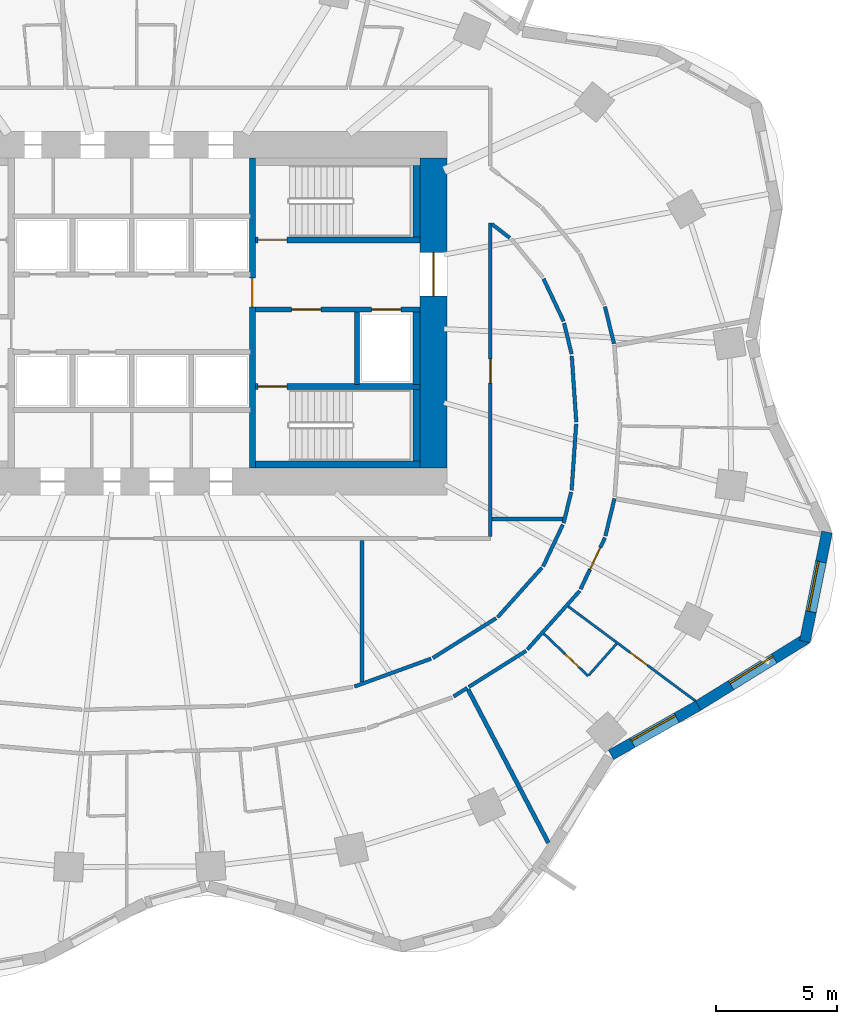
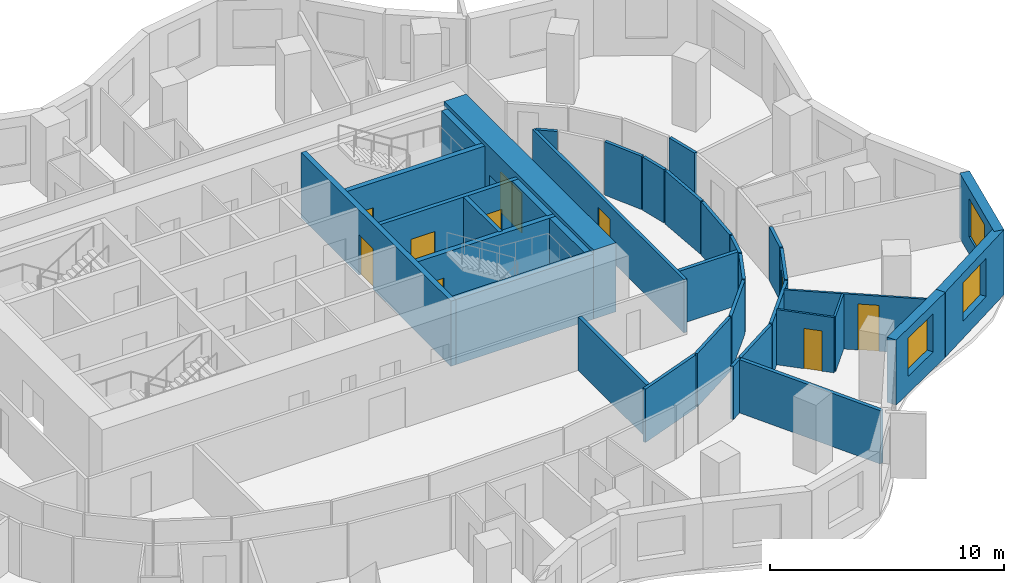
# One storey, part 6 of 10: 36 walls, 10 doors, 3 windows, 13 openings.
"""IFC4 building model written with IfcOpenShell, lengths in metres."""

import ifcopenshell
import ifcopenshell.guid

model = None  # the IFC model being written
_history = None  # IfcOwnerHistory: only IFC2X3 demands one
_inside = {}  # id of a spatial element -> (the spatial element, [elements in it])
_under = {}  # id of a project, library or spatial element -> (it, [spatial elements below it])
_declared = {}  # id of a project -> (the project, [libraries it declares])
_typed = {}  # id of a type object -> (the type object, [elements of that type])
_made_of = {}  # id of a material, layer set ... -> (it, [elements and type objects made of it])


def new_model(schema):
    """Start an empty IFC model of exactly this schema.

    Asked for "IFC4X3", IfcOpenShell would pick the latest addendum, in which some entities
    have other attributes; the version numbers below select the first issue.
    IFC2X3 requires an IfcOwnerHistory on every rooted entity: one is made here for all.
    """
    global model, _history
    if schema == "IFC4X3":
        model = ifcopenshell.file(schema_version=(4, 3, 0, 0))
    else:
        model = ifcopenshell.file(schema=schema)
    _inside.clear()
    _under.clear()
    _declared.clear()
    _typed.clear()
    _made_of.clear()
    _history = None
    if model.schema == "IFC2X3":
        org = make("IfcOrganization", Name="unknown")
        user = make(
            "IfcPersonAndOrganization",
            ThePerson=make("IfcPerson", FamilyName="unknown"),
            TheOrganization=org,
        )
        app = make(
            "IfcApplication",
            ApplicationDeveloper=org,
            Version="unknown",
            ApplicationFullName="unknown",
            ApplicationIdentifier="unknown",
        )
        _history = make(
            "IfcOwnerHistory",
            OwningUser=user,
            OwningApplication=app,
            ChangeAction="ADDED",
            CreationDate=0,
        )
    return model


def make(cls, **values):
    """One entity of the class cls with the attributes given. An attribute that is None is left unset."""
    return model.create_entity(
        cls, **{name: value for name, value in values.items() if value is not None}
    )


def rooted(cls, **values):
    """An entity with a GlobalId (a new one), such as an element, a storey or a relation."""
    return make(cls, GlobalId=ifcopenshell.guid.new(), OwnerHistory=_history, **values)


def si_unit(unit_type, name, prefix=None):
    """IfcSIUnit, for example si_unit("LENGTHUNIT", "METRE", prefix="MILLI")."""
    return make("IfcSIUnit", UnitType=unit_type, Prefix=prefix, Name=name)


def assignment(units):
    """IfcUnitAssignment: the units of a project."""
    return None if units is None else make("IfcUnitAssignment", Units=units)


def point(xyz):
    """IfcCartesianPoint."""
    return None if xyz is None else make("IfcCartesianPoint", Coordinates=xyz)


def direction(xyz):
    """IfcDirection."""
    return None if xyz is None else make("IfcDirection", DirectionRatios=xyz)


def frame(location, z_axis=None, x_axis=None):
    """IfcAxis2Placement3D, a coordinate frame: its origin and axes. An axis left out is left unset."""
    return make(
        "IfcAxis2Placement3D",
        Location=point(location),
        Axis=direction(z_axis),
        RefDirection=direction(x_axis),
    )


def frame_2d(location, x_axis=None):
    """IfcAxis2Placement2D, a coordinate frame in the plane: its origin and x axis."""
    return make(
        "IfcAxis2Placement2D", Location=point(location), RefDirection=direction(x_axis)
    )


def origin():
    """The frame at (0, 0, 0) with its axes left unset."""
    return frame((0.0, 0.0, 0.0))


def place(relative_to, where):
    """IfcLocalPlacement: puts the frame where relative to a parent placement (None: the world)."""
    return make(
        "IfcLocalPlacement", PlacementRelTo=relative_to, RelativePlacement=where
    )


def context(
    kind, dimensions, precision=None, world=None, true_north=None, identifier=None
):
    """IfcGeometricRepresentationContext, for example the 3D "Model" context."""
    return make(
        "IfcGeometricRepresentationContext",
        ContextIdentifier=identifier,
        ContextType=kind,
        CoordinateSpaceDimension=dimensions,
        Precision=precision,
        WorldCoordinateSystem=world,
        TrueNorth=true_north,
    )


def subcontext(parent, identifier, kind, view, scale=None):
    """IfcGeometricRepresentationSubContext, for example "Body" below "Model"."""
    return make(
        "IfcGeometricRepresentationSubContext",
        ContextIdentifier=identifier,
        ContextType=kind,
        ParentContext=parent,
        TargetScale=scale,
        TargetView=view,
    )


def project(units=None, contexts=None):
    """IfcProject with its units and contexts."""
    return rooted(
        "IfcProject",
        Name="project",
        RepresentationContexts=contexts,
        UnitsInContext=assignment(units),
    )


def spatial(cls, under=None, at=None, **own):
    """A site, building, storey or space (cls), placed at a placement, below another one or the project."""
    s = rooted(cls, ObjectPlacement=at, **own)
    if under is not None:
        _under.setdefault(under.id(), (under, []))[1].append(s)
    return s


def profile(cls, at=None, kind="AREA", **sizes):
    """A parametric profile (cls). Its sizes go by their IFC names, for example OverallWidth=200.0."""
    return make(cls, ProfileType=kind, Position=at, **sizes)


def rectangle(**sizes):
    """IfcRectangleProfileDef."""
    return profile("IfcRectangleProfileDef", **sizes)


def extrude(swept, where, along, depth):
    """IfcExtrudedAreaSolid: the profile swept, set in the frame where, extruded along a direction by depth."""
    return make(
        "IfcExtrudedAreaSolid",
        SweptArea=swept,
        Position=where,
        ExtrudedDirection=direction(along),
        Depth=depth,
    )


def shape(context_of_items, identifier, shape_type, items):
    """IfcShapeRepresentation: the items that make up one representation, for example the "Body"."""
    return make(
        "IfcShapeRepresentation",
        ContextOfItems=context_of_items,
        RepresentationIdentifier=identifier,
        RepresentationType=shape_type,
        Items=items,
    )


def material(Name=None, Category=None):
    """IfcMaterial."""
    return make("IfcMaterial", Name=Name, Category=Category)


def layer(
    of_material, thickness, ventilated=None, Name=None, Category=None, Priority=None
):
    """IfcMaterialLayer: one layer of a wall or slab, of a material (None: an air gap)."""
    return make(
        "IfcMaterialLayer",
        Material=of_material,
        LayerThickness=thickness,
        IsVentilated=ventilated,
        Name=Name,
        Category=Category,
        Priority=Priority,
    )


def layer_set(layers, Name=None):
    """IfcMaterialLayerSet."""
    return make("IfcMaterialLayerSet", MaterialLayers=layers, LayerSetName=Name)


def made_of(thing, what):
    """Note that an element or type object is made of a material, layer set ...; save() writes the relation."""
    if what is not None:
        _made_of.setdefault(what.id(), (what, []))[1].append(thing)
    return thing


def type_object(cls, material=None, **own):
    """A type object (cls), such as IfcWallType, which elements share."""
    return made_of(rooted(cls, **own), material)


def element(
    cls,
    number,
    at=None,
    inside=None,
    cuts=None,
    type_object=None,
    material=None,
    context=None,
    identifier="Body",
    shape_type=None,
    held_by="IfcProductDefinitionShape",
    body=None,
    shapes=None,
    **own,
):
    """One element of the class cls, such as IfcWall. Its Tag is "e" and its number.

    at: its placement. inside: the storey or other place that contains it. cuts: it is an
    opening in that element (IfcRelVoidsElement). A single representation is given by context,
    identifier, shape_type and body (its items); several are given by shapes. held_by: the class
    of the entity that holds the representations. save() writes the other relations.
    """
    e = rooted(cls, Tag="e%d" % number, ObjectPlacement=at, **own)
    if body is not None:
        shapes = [shape(context, identifier, shape_type, body)]
    if shapes is not None:
        e.Representation = make(held_by, Representations=shapes)
    if inside is not None:
        _inside.setdefault(inside.id(), (inside, []))[1].append(e)
    if cuts is not None:
        rooted(
            "IfcRelVoidsElement", RelatingBuildingElement=cuts, RelatedOpeningElement=e
        )
    if type_object is not None:
        _typed.setdefault(type_object.id(), (type_object, []))[1].append(e)
    return made_of(e, material)


def fill(opening, filler):
    """IfcRelFillsElement: the door or window that sits in an opening."""
    return rooted(
        "IfcRelFillsElement",
        RelatingOpeningElement=opening,
        RelatedBuildingElement=filler,
    )


def aggregate(whole, parts):
    """IfcRelAggregates: a whole, such as a stair, and the parts it consists of."""
    return rooted("IfcRelAggregates", RelatingObject=whole, RelatedObjects=parts)


def save(model, path):
    """Write the relations noted so far, then the file.

    IfcRelAggregates (storeys below a building ...), IfcRelContainedInSpatialStructure (elements
    in a storey), IfcRelDefinesByType, IfcRelAssociatesMaterial and IfcRelDeclares: one each for
    every whole, place, type object, material and project.
    """
    for whole, parts in _under.values():
        aggregate(whole, parts)
    for where, things in _inside.values():
        rooted(
            "IfcRelContainedInSpatialStructure",
            RelatedElements=things,
            RelatingStructure=where,
        )
    for kind, things in _typed.values():
        rooted("IfcRelDefinesByType", RelatedObjects=things, RelatingType=kind)
    for what, things in _made_of.values():
        rooted("IfcRelAssociatesMaterial", RelatedObjects=things, RelatingMaterial=what)
    for by, libraries in _declared.values():
        rooted("IfcRelDeclares", RelatingContext=by, RelatedDefinitions=libraries)
    model.write(path)


model = new_model("IFC4")

# Units and contexts
model_context = context("Model", 3, precision=1e-05, world=origin(), true_north=direction((0.0, 1.0)))
body_context = subcontext(model_context, "Body", "Model", "MODEL_VIEW")
ifc_project = project(units=[si_unit("LENGTHUNIT", "METRE"), si_unit("AREAUNIT", "SQUARE_METRE"), si_unit("VOLUMEUNIT", "CUBIC_METRE"), si_unit("PLANEANGLEUNIT", "RADIAN"), si_unit("MASSUNIT", "GRAM", prefix="KILO")], contexts=[model_context])

# Site, building, storey
site_placement = place(None, origin())
site = spatial("IfcSite", under=ifc_project, at=site_placement, CompositionType="ELEMENT")
building_placement = place(site_placement, origin())
building = spatial("IfcBuilding", under=site, at=building_placement, Name="Rubra Terraces Tower", CompositionType="ELEMENT")
storey_placement = place(building_placement, frame((0.0, 0.0, 92.39990234375)))
storey = spatial("IfcBuildingStorey", under=building, at=storey_placement, Name="L21", CompositionType="ELEMENT", Elevation=92.39990234375)

# Walls
ifc_material_1 = material(Name="Twin plasterboard on staggered steel stud, acoustic mineral wool", Category="steel")
ifc_layer_1 = layer(ifc_material_1, 0.175048828125)
ifc_layer_set_1 = layer_set([ifc_layer_1], Name="Twin plasterboard on staggered steel stud, acoustic mineral wool")
wall_type_1 = type_object("IfcWallType", Name="ACOUSTIC PARTY WALL 175", PredefinedType="PARTITIONING", material=ifc_layer_set_1)
wall_1_placement = place(storey_placement, frame((17.19287109375, -17.35986328125, 0.0), z_axis=(0.0, 0.0, 1.0), x_axis=(-0.464005717448, 0.8858322043, 0.0)))
element("IfcWall", 1, at=wall_1_placement, inside=storey, type_object=wall_type_1, Name="PARTITION", PredefinedType="PARTITIONING", context=body_context, shape_type="SweptSolid", body=[
    extrude(rectangle(XDim=7.142578125, YDim=0.175048828125, at=frame_2d((3.5712890625, 0.0))), origin(), (0.0, 0.0, 1.0), 2.7841796875),
])
wall_2_placement = place(storey_placement, frame((9.5, -10.723388671875, 0.0), z_axis=(0.0, 0.0, 1.0), x_axis=(0.0, 1.0, 0.0)))
element("IfcWall", 2, at=wall_2_placement, inside=storey, type_object=wall_type_1, Name="PARTITION", PredefinedType="PARTITIONING", context=body_context, shape_type="SweptSolid", body=[
    extrude(rectangle(XDim=5.848388671875, YDim=0.175048828125, at=frame_2d((2.92431640625, 0.0))), origin(), (0.0, 0.0, 1.0), 2.7841796875),
])
wall_3_placement = place(storey_placement, frame((14.875, -4.0, 0.0), z_axis=(0.0, 0.0, 1.0), x_axis=(1.0, 0.0, 0.0)))
element("IfcWall", 3, at=wall_3_placement, inside=storey, type_object=wall_type_1, Name="PARTITION", PredefinedType="PARTITIONING", context=body_context, shape_type="SweptSolid", body=[
    extrude(rectangle(XDim=2.912109375, YDim=0.175048828125, at=frame_2d((1.4560546875, 0.0))), origin(), (0.0, 0.0, 1.0), 2.7841796875),
])

# Wall, opening, window
ifc_material_2 = material(Name="Brick masonry red-brown", Category="masonry")
ifc_layer_2 = layer(ifc_material_2, 0.449951171875)
ifc_layer_set_2 = layer_set([ifc_layer_2], Name="Brick masonry red-brown")
wall_type_2 = type_object("IfcWallType", Name="Brick facade wall 450", PredefinedType="SOLIDWALL", material=ifc_layer_set_2)
wall_4_placement = place(storey_placement, frame((19.77587890625, -13.730712890625, 0.0), z_axis=(0.0, 0.0, 1.0), x_axis=(0.870610133829, 0.491973571318, 0.0)))
wall_4 = element("IfcWall", 4, at=wall_4_placement, inside=storey, type_object=wall_type_2, Name="Facade wall L21 bay 37", PredefinedType="SOLIDWALL", context=body_context, shape_type="SweptSolid", body=[
    extrude(rectangle(XDim=4.1337890625, YDim=0.449951171875, at=frame_2d((2.06689453125, 0.0))), origin(), (0.0, 0.0, 1.0), 3.400146484375),
])
opening_1_placement = place(wall_4_placement, frame((1.016845703125, 0.0, 0.89990234375)))
opening_1 = element("IfcOpeningElement", 5, at=opening_1_placement, cuts=wall_4, Name="Opening W1", PredefinedType="OPENING", context=body_context, shape_type="SweptSolid", body=[
    extrude(rectangle(XDim=2.10009765625, YDim=2.0, at=frame_2d((1.050048828125, 1.0))), frame((0.0, 0.23486328125, 0.0), z_axis=(0.0, -1.0, 0.0), x_axis=(1.0, 0.0, 0.0)), (0.0, 0.0, 1.0), 0.469970703125),
])
ifc_material_3 = material(Name="Clear glass in aluminium frame", Category="aluminium")
window_type = type_object("IfcWindowType", Name="Fixed deep-set window 2100 x 2000", PartitioningType="SINGLE_PANEL", PredefinedType="WINDOW", material=ifc_material_3)
window_1_placement = place(opening_1_placement, origin())
window_1 = element("IfcWindow", 6, at=window_1_placement, inside=storey, type_object=window_type, Name="Window L21 bay 37", OverallHeight=2.0, OverallWidth=2.10009765625, PartitioningType="SINGLE_PANEL", PredefinedType="WINDOW", context=body_context, shape_type="SweptSolid", body=[
    extrude(rectangle(XDim=2.10009765625, YDim=2.0, at=frame_2d((1.050048828125, 1.0))), frame((0.0, 0.135009765625, 0.0), z_axis=(0.0, -1.0, 0.0), x_axis=(1.0, 0.0, 0.0)), (0.0, 0.0, 1.0), 0.06005859375),
])
fill(opening_1, window_1)

wall_5_placement = place(storey_placement, frame((23.368408203125, -11.700927734375, 0.0), z_axis=(0.0, 0.0, 1.0), x_axis=(0.850251408633, 0.526376806211, 0.0)))
wall_5 = element("IfcWall", 7, at=wall_5_placement, inside=storey, type_object=wall_type_2, Name="Facade wall L21 bay 38", PredefinedType="SOLIDWALL", context=body_context, shape_type="SweptSolid", body=[
    extrude(rectangle(XDim=5.30224609375, YDim=0.449951171875, at=frame_2d((2.651123046875, 0.0))), origin(), (0.0, 0.0, 1.0), 3.400146484375),
])
opening_2_placement = place(wall_5_placement, frame((1.601318359375, 0.0, 0.89990234375)))
opening_2 = element("IfcOpeningElement", 8, at=opening_2_placement, cuts=wall_5, Name="Opening W1", PredefinedType="OPENING", context=body_context, shape_type="SweptSolid", body=[
    extrude(rectangle(XDim=2.10009765625, YDim=2.0, at=frame_2d((1.050048828125, 1.0))), frame((0.0, 0.23486328125, 0.0), z_axis=(0.0, -1.0, 0.0), x_axis=(1.0, 0.0, 0.0)), (0.0, 0.0, 1.0), 0.469970703125),
])
window_2_placement = place(opening_2_placement, origin())
window_2 = element("IfcWindow", 9, at=window_2_placement, inside=storey, type_object=window_type, Name="Window L21 bay 38", OverallHeight=2.0, OverallWidth=2.10009765625, PartitioningType="SINGLE_PANEL", PredefinedType="WINDOW", context=body_context, shape_type="SweptSolid", body=[
    extrude(rectangle(XDim=2.10009765625, YDim=2.0, at=frame_2d((1.050048828125, 1.0))), frame((0.0, 0.135009765625, 0.0), z_axis=(0.0, -1.0, 0.0), x_axis=(1.0, 0.0, 0.0)), (0.0, 0.0, 1.0), 0.06005859375),
])
fill(opening_2, window_2)

wall_6_placement = place(storey_placement, frame((27.779541015625, -9.053466796875, 0.0), z_axis=(0.0, 0.0, 1.0), x_axis=(0.197796229105, 0.980243159503, 0.0)))
wall_6 = element("IfcWall", 10, at=wall_6_placement, inside=storey, type_object=wall_type_2, Name="Facade wall L21 bay 39", PredefinedType="SOLIDWALL", context=body_context, shape_type="SweptSolid", body=[
    extrude(rectangle(XDim=4.610107421875, YDim=0.449951171875, at=frame_2d((2.30517578125, 0.0))), origin(), (0.0, 0.0, 1.0), 3.400146484375),
])
opening_3_placement = place(wall_6_placement, frame((1.255126953125, 0.0, 0.89990234375)))
opening_3 = element("IfcOpeningElement", 11, at=opening_3_placement, cuts=wall_6, Name="Opening W1", PredefinedType="OPENING", context=body_context, shape_type="SweptSolid", body=[
    extrude(rectangle(XDim=2.10009765625, YDim=2.0, at=frame_2d((1.050048828125, 1.0))), frame((0.0, 0.23486328125, 0.0), z_axis=(0.0, -1.0, 0.0), x_axis=(1.0, 0.0, 0.0)), (0.0, 0.0, 1.0), 0.469970703125),
])
window_3_placement = place(opening_3_placement, origin())
window_3 = element("IfcWindow", 12, at=window_3_placement, inside=storey, type_object=window_type, Name="Window L21 bay 39", OverallHeight=2.0, OverallWidth=2.10009765625, PartitioningType="SINGLE_PANEL", PredefinedType="WINDOW", context=body_context, shape_type="SweptSolid", body=[
    extrude(rectangle(XDim=2.10009765625, YDim=2.0, at=frame_2d((1.050048828125, 1.0))), frame((0.0, 0.135009765625, 0.0), z_axis=(0.0, -1.0, 0.0), x_axis=(1.0, 0.0, 0.0)), (0.0, 0.0, 1.0), 0.06005859375),
])
fill(opening_3, window_3)

# Wall, opening, door
ifc_material_4 = material(Name="Concrete C60", Category="concrete")
ifc_layer_3 = layer(ifc_material_4, 1.10009765625)
ifc_layer_set_3 = layer_set([ifc_layer_3], Name="Concrete C60")
wall_type_3 = type_object("IfcWallType", Name="CORE WALL 1100 C60", PredefinedType="SHEAR", material=ifc_layer_set_3)
wall_7_placement = place(storey_placement, frame((12.449951171875, -1.89990234375, 0.0), z_axis=(0.0, 0.0, 1.0), x_axis=(0.0, 1.0, 0.0)))
wall_7 = element("IfcWall", 13, at=wall_7_placement, inside=storey, type_object=wall_type_3, Name="CORE WALL E L21", PredefinedType="SHEAR", context=body_context, shape_type="SweptSolid", body=[
    extrude(rectangle(XDim=12.7998046875, YDim=1.10009765625, at=frame_2d((6.39990234375, 0.0))), origin(), (0.0, 0.0, 1.0), 3.60009765625),
])
opening_4_placement = place(wall_7_placement, frame((7.10009765625, 0.0, 0.0)))
opening_4 = element("IfcOpeningElement", 14, at=opening_4_placement, cuts=wall_7, Name="Opening L21.C02", PredefinedType="OPENING", context=body_context, shape_type="SweptSolid", body=[
    extrude(rectangle(XDim=1.800048828125, YDim=2.10009765625, at=frame_2d((0.89990234375, 1.050048828125))), frame((0.0, 0.56005859375, 0.0), z_axis=(0.0, -1.0, 0.0), x_axis=(1.0, 0.0, 0.0)), (0.0, 0.0, 1.0), 1.1201171875),
])
ifc_material_5 = material(Name="Painted steel", Category="steel")
door_type_1 = type_object("IfcDoorType", Name="Fire door 1800x2100 double", OperationType="NOTDEFINED", PredefinedType="DOOR", material=ifc_material_5)
door_1_placement = place(opening_4_placement, origin())
door_1 = element("IfcDoor", 15, at=door_1_placement, inside=storey, type_object=door_type_1, Name="Core entrance door FF2", OperationType="DOUBLE_DOOR_SINGLE_SWING", OverallHeight=2.10009765625, OverallWidth=1.800048828125, PredefinedType="DOOR", context=body_context, shape_type="SweptSolid", body=[
    extrude(rectangle(XDim=1.800048828125, YDim=2.10009765625, at=frame_2d((0.89990234375, 1.050048828125))), frame((0.0, 0.02490234375, 0.0), z_axis=(0.0, -1.0, 0.0), x_axis=(1.0, 0.0, 0.0)), (0.0, 0.0, 1.0), 0.050048828125),
])
fill(opening_4, door_1)

# Walls
ifc_material_6 = material(Name="Plasterboard on steel stud, mineral wool infill", Category="steel")
ifc_layer_4 = layer(ifc_material_6, 0.14990234375)
ifc_layer_set_4 = layer_set([ifc_layer_4], Name="Plasterboard on steel stud, mineral wool infill")
wall_type_4 = type_object("IfcWallType", Name="CORRIDOR PARTITION 150", PredefinedType="PARTITIONING", material=ifc_layer_set_4)
wall_8_placement = place(storey_placement, frame((13.282958984375, -11.3193359375, 0.0), z_axis=(0.0, 0.0, 1.0), x_axis=(0.846275904875, 0.532744866543, 0.0)))
element("IfcWall", 16, at=wall_8_placement, inside=storey, type_object=wall_type_4, Name="PARTITION", PredefinedType="PARTITIONING", context=body_context, shape_type="SweptSolid", body=[
    extrude(rectangle(XDim=0.66259765625, YDim=0.14990234375, at=frame_2d((0.331298828125, 0.0))), origin(), (0.0, 0.0, 1.0), 2.7841796875),
])
wall_9_placement = place(storey_placement, frame((13.9072265625, -10.926513671875, 0.0), z_axis=(0.0, 0.0, 1.0), x_axis=(0.846289768331, 0.53272284353, 0.0)))
element("IfcWall", 17, at=wall_9_placement, inside=storey, type_object=wall_type_4, Name="PARTITION", PredefinedType="PARTITIONING", context=body_context, shape_type="SweptSolid", body=[
    extrude(rectangle(XDim=2.792724609375, YDim=0.14990234375, at=frame_2d((1.396484375, 0.0))), origin(), (0.0, 0.0, 1.0), 2.7841796875),
])
wall_10_placement = place(storey_placement, frame((16.32080078125, -9.3828125, 0.0), z_axis=(0.0, 0.0, 1.0), x_axis=(0.666834356165, 0.745205972492, 0.0)))
element("IfcWall", 18, at=wall_10_placement, inside=storey, type_object=wall_type_4, Name="PARTITION", PredefinedType="PARTITIONING", context=body_context, shape_type="SweptSolid", body=[
    extrude(rectangle(XDim=3.252197265625, YDim=0.14990234375, at=frame_2d((1.6259765625, 0.0))), origin(), (0.0, 0.0, 1.0), 2.7841796875),
])

# Wall, opening, door
wall_11_placement = place(storey_placement, frame((18.521728515625, -6.891357421875, 0.0), z_axis=(0.0, 0.0, 1.0), x_axis=(0.428157819028, 0.903703979191, 0.0)))
wall_11 = element("IfcWall", 19, at=wall_11_placement, inside=storey, type_object=wall_type_4, Name="PARTITION", PredefinedType="PARTITIONING", context=body_context, shape_type="SweptSolid", body=[
    extrude(rectangle(XDim=2.349365234375, YDim=0.14990234375, at=frame_2d((1.1748046875, 0.0))), origin(), (0.0, 0.0, 1.0), 2.7841796875),
])
opening_5_placement = place(wall_11_placement, frame((0.89990234375, 0.0, 0.0)))
opening_5 = element("IfcOpeningElement", 20, at=opening_5_placement, cuts=wall_11, Name="Opening 21-123", PredefinedType="OPENING", context=body_context, shape_type="SweptSolid", body=[
    extrude(rectangle(XDim=1.0, YDim=2.10009765625, at=frame_2d((0.5, 1.050048828125))), frame((0.0, 0.0849609375, 0.0), z_axis=(0.0, -1.0, 0.0), x_axis=(1.0, 0.0, 0.0)), (0.0, 0.0, 1.0), 0.169921875),
])
ifc_material_7 = material(Name="Painted timber door leaf", Category="wood")
door_type_2 = type_object("IfcDoorType", Name="ROOM DOOR 1000 X 2100", OperationType="SINGLE_SWING_LEFT", PredefinedType="DOOR", material=ifc_material_7)
door_2_placement = place(opening_5_placement, origin())
door_2 = element("IfcDoor", 21, at=door_2_placement, inside=storey, type_object=door_type_2, Name="DOOR 21-123", OperationType="SINGLE_SWING_RIGHT", OverallHeight=2.10009765625, OverallWidth=1.0, PredefinedType="DOOR", context=body_context, shape_type="SweptSolid", body=[
    extrude(rectangle(XDim=1.0, YDim=2.10009765625, at=frame_2d((0.5, 1.050048828125))), frame((0.0, 0.02490234375, 0.0), z_axis=(0.0, -1.0, 0.0), x_axis=(1.0, 0.0, 0.0)), (0.0, 0.0, 1.0), 0.050048828125),
])
fill(opening_5, door_2)

# Walls
wall_12_placement = place(storey_placement, frame((19.54541015625, -4.695556640625, 0.0), z_axis=(0.0, 0.0, 1.0), x_axis=(0.236715862945, 0.971578921257, 0.0)))
element("IfcWall", 22, at=wall_12_placement, inside=storey, type_object=wall_type_4, Name="PARTITION", PredefinedType="PARTITIONING", context=body_context, shape_type="SweptSolid", body=[
    extrude(rectangle(XDim=1.59033203125, YDim=0.14990234375, at=frame_2d((0.795166015625, 0.0))), origin(), (0.0, 0.0, 1.0), 2.7841796875),
])
wall_13_placement = place(storey_placement, frame((19.901123046875, 3.235595703125, 0.0), z_axis=(0.0, 0.0, 1.0), x_axis=(-0.236778045029, 0.971563769082, 0.0)))
element("IfcWall", 23, at=wall_13_placement, inside=storey, type_object=wall_type_4, Name="PARTITION", PredefinedType="PARTITIONING", context=body_context, shape_type="SweptSolid", body=[
    extrude(rectangle(XDim=1.57763671875, YDim=0.14990234375, at=frame_2d((0.788818359375, 0.0))), origin(), (0.0, 0.0, 1.0), 2.7841796875),
])
wall_14_placement = place(storey_placement, frame((16.990966796875, 5.918212890625, 0.0), z_axis=(0.0, 0.0, 1.0), x_axis=(0.428199863362, -0.903684058185, 0.0)))
element("IfcWall", 24, at=wall_14_placement, inside=storey, type_object=wall_type_4, Name="PARTITION", PredefinedType="PARTITIONING", context=body_context, shape_type="SweptSolid", body=[
    extrude(rectangle(XDim=1.94140625, YDim=0.14990234375, at=frame_2d((0.970703125, 0.0))), origin(), (0.0, 0.0, 1.0), 2.7841796875),
])
wall_15_placement = place(storey_placement, frame((17.840087890625, 4.0908203125, 0.0), z_axis=(0.0, 0.0, 1.0), x_axis=(0.236653741324, -0.971594054489, 0.0)))
element("IfcWall", 25, at=wall_15_placement, inside=storey, type_object=wall_type_4, Name="PARTITION", PredefinedType="PARTITIONING", context=body_context, shape_type="SweptSolid", body=[
    extrude(rectangle(XDim=1.319580078125, YDim=0.14990234375, at=frame_2d((0.65966796875, 0.0))), origin(), (0.0, 0.0, 1.0), 2.7841796875),
])
for number, where, z_axis, x_axis, name in (
    (26, (18.157470703125, 2.734130859375, 0.0), (0.0, 0.0, 1.0), (0.068328193832, -0.997662897941, 0.0), "PARTITION"),
    (27, (18.339599609375, -0.07470703125, 0.0), (0.0, 0.0, 1.0), (-0.068328193832, -0.997662897941, 0.0), "PARTITION"),
):
    element("IfcWall", number, at=place(storey_placement, frame(where, z_axis=z_axis, x_axis=x_axis)), inside=storey, type_object=wall_type_4, Name=name, PredefinedType="PARTITIONING", context=body_context, shape_type="SweptSolid", body=[
        extrude(rectangle(XDim=2.740478515625, YDim=0.14990234375, at=frame_2d((1.3701171875, 0.0))), origin(), (0.0, 0.0, 1.0), 2.7841796875),
    ])
wall_16_placement = place(storey_placement, frame((18.134521484375, -2.8818359375, 0.0), z_axis=(0.0, 0.0, 1.0), x_axis=(-0.236653741324, -0.971594054489, 0.0)))
element("IfcWall", 28, at=wall_16_placement, inside=storey, type_object=wall_type_4, Name="PARTITION", PredefinedType="PARTITIONING", context=body_context, shape_type="SweptSolid", body=[
    extrude(rectangle(XDim=1.319580078125, YDim=0.14990234375, at=frame_2d((0.65966796875, 0.0))), origin(), (0.0, 0.0, 1.0), 2.7841796875),
])
wall_17_placement = place(storey_placement, frame((17.7900390625, -4.2314453125, 0.0), z_axis=(0.0, 0.0, 1.0), x_axis=(-0.428042272357, -0.90375871397, 0.0)))
element("IfcWall", 29, at=wall_17_placement, inside=storey, type_object=wall_type_4, Name="PARTITION", PredefinedType="PARTITIONING", context=body_context, shape_type="SweptSolid", body=[
    extrude(rectangle(XDim=1.905029296875, YDim=0.14990234375, at=frame_2d((0.95263671875, 0.0))), origin(), (0.0, 0.0, 1.0), 2.7841796875),
])
wall_18_placement = place(storey_placement, frame((16.924560546875, -6.009033203125, 0.0), z_axis=(0.0, 0.0, 1.0), x_axis=(-0.666893859891, -0.745152722359, 0.0)))
element("IfcWall", 30, at=wall_18_placement, inside=storey, type_object=wall_type_4, Name="PARTITION", PredefinedType="PARTITIONING", context=body_context, shape_type="SweptSolid", body=[
    extrude(rectangle(XDim=2.739013671875, YDim=0.14990234375, at=frame_2d((1.36962890625, 0.0))), origin(), (0.0, 0.0, 1.0), 2.7841796875),
])
wall_19_placement = place(storey_placement, frame((15.034423828125, -8.090087890625, 0.0), z_axis=(0.0, 0.0, 1.0), x_axis=(-0.846322679414, -0.532670557014, 0.0)))
element("IfcWall", 31, at=wall_19_placement, inside=storey, type_object=wall_type_4, Name="PARTITION", PredefinedType="PARTITIONING", context=body_context, shape_type="SweptSolid", body=[
    extrude(rectangle(XDim=3.08544921875, YDim=0.14990234375, at=frame_2d((1.542724609375, 0.0))), origin(), (0.0, 0.0, 1.0), 2.7841796875),
])
wall_20_placement = place(storey_placement, frame((12.3525390625, -9.759521484375, 0.0), z_axis=(0.0, 0.0, 1.0), x_axis=(-0.939632450309, -0.342185415127, 0.0)))
element("IfcWall", 32, at=wall_20_placement, inside=storey, type_object=wall_type_4, Name="PARTITION", PredefinedType="PARTITIONING", context=body_context, shape_type="SweptSolid", body=[
    extrude(rectangle(XDim=3.36767578125, YDim=0.14990234375, at=frame_2d((1.683837890625, 0.0))), origin(), (0.0, 0.0, 1.0), 2.7841796875),
])

# Wall, opening, door
wall_21_placement = place(storey_placement, frame((14.800048828125, -4.72509765625, 0.0), z_axis=(0.0, 0.0, 1.0), x_axis=(0.0, 1.0, 0.0)))
wall_21 = element("IfcWall", 33, at=wall_21_placement, inside=storey, type_object=wall_type_4, Name="PARTITION", PredefinedType="PARTITIONING", context=body_context, shape_type="SweptSolid", body=[
    extrude(rectangle(XDim=12.947998046875, YDim=0.14990234375, at=frame_2d((6.47412109375, 0.0))), origin(), (0.0, 0.0, 1.0), 2.7841796875),
])
opening_6_placement = place(wall_21_placement, frame((6.3359375, 0.0, 0.0)))
opening_6 = element("IfcOpeningElement", 34, at=opening_6_placement, cuts=wall_21, Name="Opening 21-133", PredefinedType="OPENING", context=body_context, shape_type="SweptSolid", body=[
    extrude(rectangle(XDim=1.0, YDim=2.10009765625, at=frame_2d((0.5, 1.050048828125))), frame((0.0, 0.0849609375, 0.0), z_axis=(0.0, -1.0, 0.0), x_axis=(1.0, 0.0, 0.0)), (0.0, 0.0, 1.0), 0.169921875),
])
door_3_placement = place(opening_6_placement, origin())
door_3 = element("IfcDoor", 35, at=door_3_placement, inside=storey, type_object=door_type_2, Name="DOOR 21-133", OperationType="SINGLE_SWING_RIGHT", OverallHeight=2.10009765625, OverallWidth=1.0, PredefinedType="DOOR", context=body_context, shape_type="SweptSolid", body=[
    extrude(rectangle(XDim=1.0, YDim=2.10009765625, at=frame_2d((0.5, 1.050048828125))), frame((0.0, 0.02490234375, 0.0), z_axis=(0.0, -1.0, 0.0), x_axis=(1.0, 0.0, 0.0)), (0.0, 0.0, 1.0), 0.050048828125),
])
fill(opening_6, door_3)

# Walls
wall_22_placement = place(storey_placement, frame((14.859375, 8.177001953125, 0.0), z_axis=(0.0, 0.0, 1.0), x_axis=(0.791588113465, -0.611055037309, 0.0)))
element("IfcWall", 36, at=wall_22_placement, inside=storey, type_object=wall_type_4, Name="PARTITION", PredefinedType="PARTITIONING", context=body_context, shape_type="SweptSolid", body=[
    extrude(rectangle(XDim=0.9384765625, YDim=0.14990234375, at=frame_2d((0.46923828125, 0.0))), origin(), (0.0, 0.0, 1.0), 2.7841796875),
])
ifc_material_8 = material(Name="Concrete C40", Category="concrete")
ifc_layer_5 = layer(ifc_material_8, 0.300048828125)
ifc_layer_set_5 = layer_set([ifc_layer_5], Name="Concrete C40")
wall_type_5 = type_object("IfcWallType", Name="Core lining wall 300 concrete", PredefinedType="SOLIDWALL", material=ifc_layer_set_5)
wall_23_placement = place(storey_placement, frame((11.75, 10.60009765625, 0.0), z_axis=(0.0, 0.0, 1.0), x_axis=(0.0, -1.0, 0.0)))
element("IfcWall", 37, at=wall_23_placement, inside=storey, type_object=wall_type_5, Name="CORE LINING WALL L21", PredefinedType="SOLIDWALL", context=body_context, shape_type="SweptSolid", body=[
    extrude(rectangle(XDim=2.9501953125, YDim=0.300048828125, at=frame_2d((1.47509765625, 0.0))), origin(), (0.0, 0.0, 1.0), 3.400146484375),
])
wall_24_placement = place(storey_placement, frame((11.75, 4.550048828125, 0.0), z_axis=(0.0, 0.0, 1.0), x_axis=(0.0, -1.0, 0.0)))
element("IfcWall", 38, at=wall_24_placement, inside=storey, type_object=wall_type_5, Name="CORE LINING WALL L21", PredefinedType="SOLIDWALL", context=body_context, shape_type="SweptSolid", body=[
    extrude(rectangle(XDim=3.0, YDim=0.300048828125, at=frame_2d((1.5, 0.0))), origin(), (0.0, 0.0, 1.0), 3.400146484375),
])
wall_25_placement = place(storey_placement, frame((11.75, 1.35009765625, 0.0), z_axis=(0.0, 0.0, 1.0), x_axis=(0.0, -1.0, 0.0)))
element("IfcWall", 39, at=wall_25_placement, inside=storey, type_object=wall_type_5, Name="CORE LINING WALL L21", PredefinedType="SOLIDWALL", context=body_context, shape_type="SweptSolid", body=[
    extrude(rectangle(XDim=2.9501953125, YDim=0.300048828125, at=frame_2d((1.47509765625, 0.0))), origin(), (0.0, 0.0, 1.0), 3.400146484375),
])
wall_26_placement = place(storey_placement, frame((11.89990234375, -1.75, 0.0), z_axis=(0.0, 0.0, 1.0), x_axis=(-1.0, 0.0, 0.0)))
element("IfcWall", 40, at=wall_26_placement, inside=storey, type_object=wall_type_5, Name="CORE LINING WALL L21", PredefinedType="SOLIDWALL", context=body_context, shape_type="SweptSolid", body=[
    extrude(rectangle(XDim=6.7998046875, YDim=0.300048828125, at=frame_2d((3.39990234375, 0.0))), origin(), (0.0, 0.0, 1.0), 3.400146484375),
])

# Wall, openings, doors
ifc_material_9 = material(Name="Concrete C30", Category="concrete")
ifc_layer_6 = layer(ifc_material_9, 0.199951171875)
ifc_layer_set_6 = layer_set([ifc_layer_6], Name="Concrete C30")
wall_type_6 = type_object("IfcWallType", Name="Core wall 200 concrete", PredefinedType="SOLIDWALL", material=ifc_layer_set_6)
wall_27_placement = place(storey_placement, frame((11.89990234375, 4.64990234375, 0.0), z_axis=(0.0, 0.0, 1.0), x_axis=(-1.0, 0.0, 0.0)))
wall_27 = element("IfcWall", 41, at=wall_27_placement, inside=storey, type_object=wall_type_6, Name="STAIR WALL L21", PredefinedType="SOLIDWALL", context=body_context, shape_type="SweptSolid", body=[
    extrude(rectangle(XDim=6.7998046875, YDim=0.199951171875, at=frame_2d((3.39990234375, 0.0))), origin(), (0.0, 0.0, 1.0), 3.400146484375),
])
opening_7_placement = place(wall_27_placement, frame((4.10009765625, 0.0, 0.0)))
opening_7 = element("IfcOpeningElement", 42, at=opening_7_placement, cuts=wall_27, Name="Opening L21.C06", PredefinedType="OPENING", context=body_context, shape_type="SweptSolid", body=[
    extrude(rectangle(XDim=1.199951171875, YDim=2.10009765625, at=frame_2d((0.60009765625, 1.050048828125))), frame((0.0, 0.10986328125, 0.0), z_axis=(0.0, -1.0, 0.0), x_axis=(1.0, 0.0, 0.0)), (0.0, 0.0, 1.0), 0.219970703125),
])
opening_8_placement = place(wall_27_placement, frame((0.800048828125, 0.0, 0.0)))
opening_8 = element("IfcOpeningElement", 43, at=opening_8_placement, cuts=wall_27, Name="Opening L21.C12", PredefinedType="OPENING", context=body_context, shape_type="SweptSolid", body=[
    extrude(rectangle(XDim=1.199951171875, YDim=2.10009765625, at=frame_2d((0.60009765625, 1.050048828125))), frame((0.0, 0.10986328125, 0.0), z_axis=(0.0, -1.0, 0.0), x_axis=(1.0, 0.0, 0.0)), (0.0, 0.0, 1.0), 0.219970703125),
])
door_type_3 = type_object("IfcDoorType", Name="Fire door 1200x2100 single", OperationType="NOTDEFINED", PredefinedType="DOOR", material=ifc_material_5)
door_4_placement = place(opening_7_placement, origin())
door_4 = element("IfcDoor", 44, at=door_4_placement, inside=storey, type_object=door_type_3, Name="Stair vestibule door S4", OperationType="SINGLE_SWING_RIGHT", OverallHeight=2.10009765625, OverallWidth=1.199951171875, PredefinedType="DOOR", context=body_context, shape_type="SweptSolid", body=[
    extrude(rectangle(XDim=1.199951171875, YDim=2.10009765625, at=frame_2d((0.60009765625, 1.050048828125))), frame((0.0, 0.02490234375, 0.0), z_axis=(0.0, -1.0, 0.0), x_axis=(1.0, 0.0, 0.0)), (0.0, 0.0, 1.0), 0.050048828125),
])
fill(opening_7, door_4)
ifc_material_10 = material(Name="Stainless steel", Category="steel")
door_type_4 = type_object("IfcDoorType", Name="Lift landing door 1200x2100", OperationType="NOTDEFINED", PredefinedType="DOOR", material=ifc_material_10)
door_5_placement = place(opening_8_placement, origin())
door_5 = element("IfcDoor", 45, at=door_5_placement, inside=storey, type_object=door_type_4, Name="Landing door FF2", OperationType="SLIDING_TO_RIGHT", OverallHeight=2.10009765625, OverallWidth=1.199951171875, PredefinedType="DOOR", context=body_context, shape_type="SweptSolid", body=[
    extrude(rectangle(XDim=1.199951171875, YDim=2.10009765625, at=frame_2d((0.60009765625, 1.050048828125))), frame((0.0, 0.02490234375, 0.0), z_axis=(0.0, -1.0, 0.0), x_axis=(1.0, 0.0, 0.0)), (0.0, 0.0, 1.0), 0.050048828125),
])
fill(opening_8, door_5)

# Wall
wall_28_placement = place(storey_placement, frame((9.300048828125, 4.550048828125, 0.0), z_axis=(0.0, 0.0, 1.0), x_axis=(0.0, -1.0, 0.0)))
element("IfcWall", 46, at=wall_28_placement, inside=storey, type_object=wall_type_6, Name="STAIR WALL L21", PredefinedType="SOLIDWALL", context=body_context, shape_type="SweptSolid", body=[
    extrude(rectangle(XDim=3.0, YDim=0.199951171875, at=frame_2d((1.5, 0.0))), origin(), (0.0, 0.0, 1.0), 3.400146484375),
])

# Wall, opening, door
ifc_material_11 = material(Name="Plasterboard on steel stud", Category="steel")
ifc_layer_7 = layer(ifc_material_11, 0.10009765625)
ifc_layer_set_7 = layer_set([ifc_layer_7], Name="Plasterboard on steel stud")
wall_type_7 = type_object("IfcWallType", Name="ROOM PARTITION 100", PredefinedType="PARTITIONING", material=ifc_layer_set_7)
wall_29_placement = place(storey_placement, frame((23.256103515625, -11.501220703125, 0.0), z_axis=(0.0, 0.0, 1.0), x_axis=(-0.802700401869, 0.596382482003, 0.0)))
wall_29 = element("IfcWall", 47, at=wall_29_placement, inside=storey, type_object=wall_type_7, Name="PARTITION", PredefinedType="PARTITIONING", context=body_context, shape_type="SweptSolid", body=[
    extrude(rectangle(XDim=6.533203125, YDim=0.10009765625, at=frame_2d((3.2666015625, 0.0))), origin(), (0.0, 0.0, 1.0), 2.884033203125),
])
opening_9_placement = place(wall_29_placement, frame((2.4580078125, 0.0, 0.0)))
opening_9 = element("IfcOpeningElement", 48, at=opening_9_placement, cuts=wall_29, Name="Opening 21-122", PredefinedType="OPENING", context=body_context, shape_type="SweptSolid", body=[
    extrude(rectangle(XDim=0.89990234375, YDim=2.39990234375, at=frame_2d((0.449951171875, 1.199951171875))), frame((0.0, 0.06005859375, 0.0), z_axis=(0.0, -1.0, 0.0), x_axis=(1.0, 0.0, 0.0)), (0.0, 0.0, 1.0), 0.1201171875),
])
ifc_material_12 = material(Name="Veneered timber door leaf, fire-rated", Category="wood")
door_type_5 = type_object("IfcDoorType", Name="SUITE ENTRANCE DOOR 900 X 2400", OperationType="SINGLE_SWING_LEFT", PredefinedType="DOOR", material=ifc_material_12)
door_6_placement = place(opening_9_placement, origin())
door_6 = element("IfcDoor", 49, at=door_6_placement, inside=storey, type_object=door_type_5, Name="DOOR 21-122", OperationType="SINGLE_SWING_LEFT", OverallHeight=2.39990234375, OverallWidth=0.89990234375, PredefinedType="DOOR", context=body_context, shape_type="SweptSolid", body=[
    extrude(rectangle(XDim=0.89990234375, YDim=2.39990234375, at=frame_2d((0.449951171875, 1.199951171875))), frame((0.0, 0.02490234375, 0.0), z_axis=(0.0, -1.0, 0.0), x_axis=(1.0, 0.0, 0.0)), (0.0, 0.0, 1.0), 0.050048828125),
])
fill(opening_9, door_6)

wall_30_placement = place(storey_placement, frame((17.005859375, -8.729736328125, 0.0), z_axis=(0.0, 0.0, 1.0), x_axis=(0.722927369978, -0.690924031813, 0.0)))
wall_30 = element("IfcWall", 50, at=wall_30_placement, inside=storey, type_object=wall_type_7, Name="PARTITION", PredefinedType="PARTITIONING", context=body_context, shape_type="SweptSolid", body=[
    extrude(rectangle(XDim=2.525146484375, YDim=0.10009765625, at=frame_2d((1.2626953125, 0.0))), origin(), (0.0, 0.0, 1.0), 2.884033203125),
])
opening_10_placement = place(wall_30_placement, frame((1.199951171875, 0.0, 0.0)))
opening_10 = element("IfcOpeningElement", 51, at=opening_10_placement, cuts=wall_30, Name="Opening 21-121", PredefinedType="OPENING", context=body_context, shape_type="SweptSolid", body=[
    extrude(rectangle(XDim=0.800048828125, YDim=2.10009765625, at=frame_2d((0.39990234375, 1.050048828125))), frame((0.0, 0.06005859375, 0.0), z_axis=(0.0, -1.0, 0.0), x_axis=(1.0, 0.0, 0.0)), (0.0, 0.0, 1.0), 0.1201171875),
])
door_type_6 = type_object("IfcDoorType", Name="BATHROOM DOOR 800 X 2100", OperationType="SINGLE_SWING_LEFT", PredefinedType="DOOR", material=ifc_material_7)
door_7_placement = place(opening_10_placement, origin())
door_7 = element("IfcDoor", 52, at=door_7_placement, inside=storey, type_object=door_type_6, Name="DOOR 21-121", OperationType="SINGLE_SWING_LEFT", OverallHeight=2.10009765625, OverallWidth=0.800048828125, PredefinedType="DOOR", context=body_context, shape_type="SweptSolid", body=[
    extrude(rectangle(XDim=0.800048828125, YDim=2.10009765625, at=frame_2d((0.39990234375, 1.050048828125))), frame((0.0, 0.02490234375, 0.0), z_axis=(0.0, -1.0, 0.0), x_axis=(1.0, 0.0, 0.0)), (0.0, 0.0, 1.0), 0.050048828125),
])
fill(opening_10, door_7)

# Wall
wall_31_placement = place(storey_placement, frame((18.864501953125, -10.43701171875, 0.0), z_axis=(0.0, 0.0, 1.0), x_axis=(0.662901257744, 0.748706833468, 0.0)))
element("IfcWall", 53, at=wall_31_placement, inside=storey, type_object=wall_type_7, Name="PARTITION", PredefinedType="PARTITIONING", context=body_context, shape_type="SweptSolid", body=[
    extrude(rectangle(XDim=1.721435546875, YDim=0.10009765625, at=frame_2d((0.86083984375, 0.0))), origin(), (0.0, 0.0, 1.0), 2.884033203125),
])

# Wall, opening, door
ifc_layer_8 = layer(ifc_material_8, 0.25)
ifc_layer_set_8 = layer_set([ifc_layer_8], Name="Concrete C40")
wall_type_8 = type_object("IfcWallType", Name="Stair enclosure wall 250 concrete", PredefinedType="SOLIDWALL", material=ifc_layer_set_8)
wall_32_placement = place(storey_placement, frame((11.89990234375, 7.52490234375, 0.0), z_axis=(0.0, 0.0, 1.0), x_axis=(-1.0, 0.0, 0.0)))
wall_32 = element("IfcWall", 54, at=wall_32_placement, inside=storey, type_object=wall_type_8, Name="STAIR WALL L21", PredefinedType="SOLIDWALL", context=body_context, shape_type="SweptSolid", body=[
    extrude(rectangle(XDim=6.7998046875, YDim=0.25, at=frame_2d((3.39990234375, 0.0))), origin(), (0.0, 0.0, 1.0), 3.400146484375),
])
opening_11_placement = place(wall_32_placement, frame((5.5, 0.0, 0.0)))
opening_11 = element("IfcOpeningElement", 55, at=opening_11_placement, cuts=wall_32, Name="Opening L21.C08", PredefinedType="OPENING", context=body_context, shape_type="SweptSolid", body=[
    extrude(rectangle(XDim=1.199951171875, YDim=2.10009765625, at=frame_2d((0.60009765625, 1.050048828125))), frame((0.0, 0.135009765625, 0.0), z_axis=(0.0, -1.0, 0.0), x_axis=(1.0, 0.0, 0.0)), (0.0, 0.0, 1.0), 0.27001953125),
])
door_8_placement = place(opening_11_placement, origin())
door_8 = element("IfcDoor", 56, at=door_8_placement, inside=storey, type_object=door_type_3, Name="Stair door S3", OperationType="SINGLE_SWING_RIGHT", OverallHeight=2.10009765625, OverallWidth=1.199951171875, PredefinedType="DOOR", context=body_context, shape_type="SweptSolid", body=[
    extrude(rectangle(XDim=1.199951171875, YDim=2.10009765625, at=frame_2d((0.60009765625, 1.050048828125))), frame((0.0, 0.02490234375, 0.0), z_axis=(0.0, -1.0, 0.0), x_axis=(1.0, 0.0, 0.0)), (0.0, 0.0, 1.0), 0.050048828125),
])
fill(opening_11, door_8)

wall_33_placement = place(storey_placement, frame((11.89990234375, 1.47509765625, 0.0), z_axis=(0.0, 0.0, 1.0), x_axis=(-1.0, 0.0, 0.0)))
wall_33 = element("IfcWall", 57, at=wall_33_placement, inside=storey, type_object=wall_type_8, Name="STAIR WALL L21", PredefinedType="SOLIDWALL", context=body_context, shape_type="SweptSolid", body=[
    extrude(rectangle(XDim=6.7998046875, YDim=0.25, at=frame_2d((3.39990234375, 0.0))), origin(), (0.0, 0.0, 1.0), 3.400146484375),
])
opening_12_placement = place(wall_33_placement, frame((5.5, 0.0, 0.0)))
opening_12 = element("IfcOpeningElement", 58, at=opening_12_placement, cuts=wall_33, Name="Opening L21.C10", PredefinedType="OPENING", context=body_context, shape_type="SweptSolid", body=[
    extrude(rectangle(XDim=1.199951171875, YDim=2.10009765625, at=frame_2d((0.60009765625, 1.050048828125))), frame((0.0, 0.135009765625, 0.0), z_axis=(0.0, -1.0, 0.0), x_axis=(1.0, 0.0, 0.0)), (0.0, 0.0, 1.0), 0.27001953125),
])
door_9_placement = place(opening_12_placement, origin())
door_9 = element("IfcDoor", 59, at=door_9_placement, inside=storey, type_object=door_type_3, Name="Stair door S4", OperationType="SINGLE_SWING_RIGHT", OverallHeight=2.10009765625, OverallWidth=1.199951171875, PredefinedType="DOOR", context=body_context, shape_type="SweptSolid", body=[
    extrude(rectangle(XDim=1.199951171875, YDim=2.10009765625, at=frame_2d((0.60009765625, 1.050048828125))), frame((0.0, 0.02490234375, 0.0), z_axis=(0.0, -1.0, 0.0), x_axis=(1.0, 0.0, 0.0)), (0.0, 0.0, 1.0), 0.050048828125),
])
fill(opening_12, door_9)

wall_34_placement = place(storey_placement, frame((4.97509765625, 10.89990234375, 0.0), z_axis=(0.0, 0.0, 1.0), x_axis=(0.0, -1.0, 0.0)))
wall_34 = element("IfcWall", 60, at=wall_34_placement, inside=storey, type_object=wall_type_8, Name="CORE LOBBY WALL L21", PredefinedType="SOLIDWALL", context=body_context, shape_type="SweptSolid", body=[
    extrude(rectangle(XDim=12.7998046875, YDim=0.25, at=frame_2d((6.39990234375, 0.0))), origin(), (0.0, 0.0, 1.0), 3.400146484375),
])
opening_13_placement = place(wall_34_placement, frame((4.949951171875, 0.0, 0.0)))
opening_13 = element("IfcOpeningElement", 61, at=opening_13_placement, cuts=wall_34, Name="Opening L21.C04", PredefinedType="OPENING", context=body_context, shape_type="SweptSolid", body=[
    extrude(rectangle(XDim=1.199951171875, YDim=2.10009765625, at=frame_2d((0.60009765625, 1.050048828125))), frame((0.0, 0.135009765625, 0.0), z_axis=(0.0, -1.0, 0.0), x_axis=(1.0, 0.0, 0.0)), (0.0, 0.0, 1.0), 0.27001953125),
])
door_10_placement = place(opening_13_placement, origin())
door_10 = element("IfcDoor", 62, at=door_10_placement, inside=storey, type_object=door_type_3, Name="Firefighting lobby door FF2", OperationType="SINGLE_SWING_RIGHT", OverallHeight=2.10009765625, OverallWidth=1.199951171875, PredefinedType="DOOR", context=body_context, shape_type="SweptSolid", body=[
    extrude(rectangle(XDim=1.199951171875, YDim=2.10009765625, at=frame_2d((0.60009765625, 1.050048828125))), frame((0.0, 0.02490234375, 0.0), z_axis=(0.0, -1.0, 0.0), x_axis=(1.0, 0.0, 0.0)), (0.0, 0.0, 1.0), 0.050048828125),
])
fill(opening_13, door_10)

save(model, "model.ifc")
